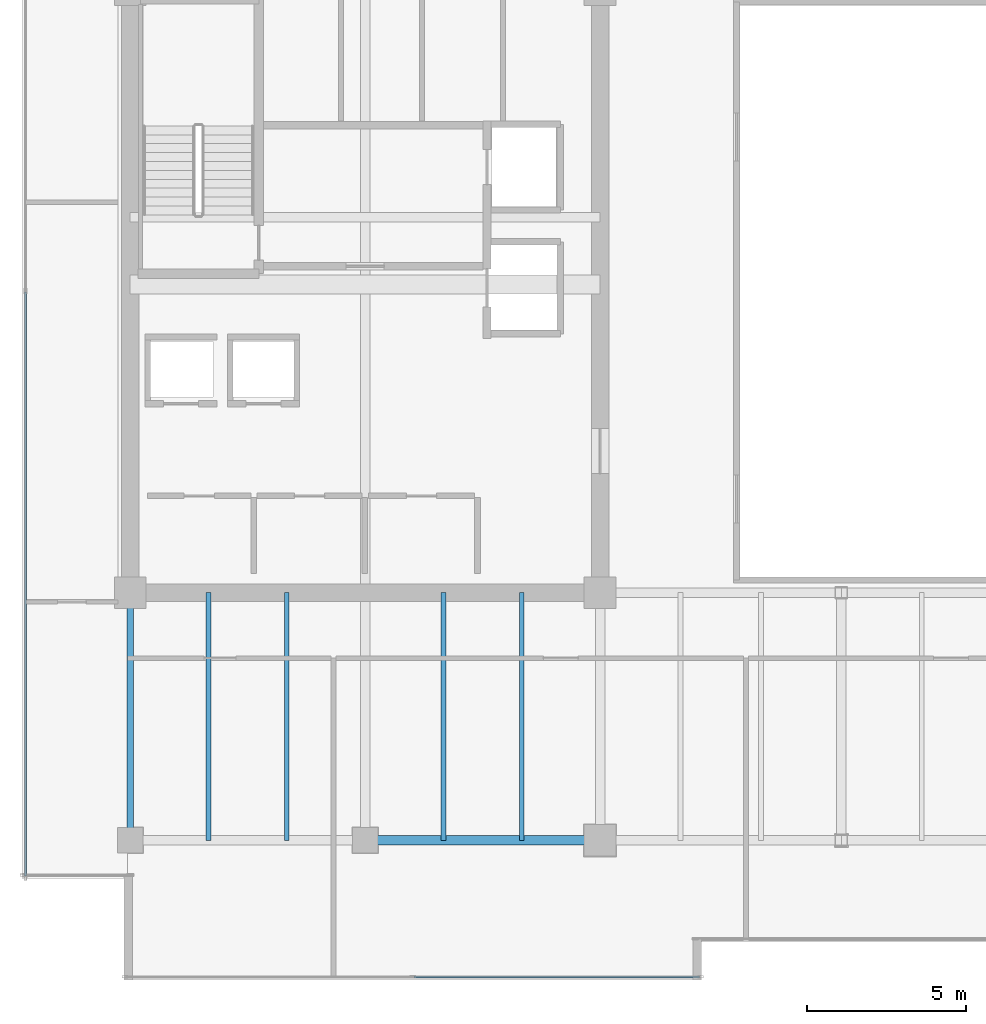
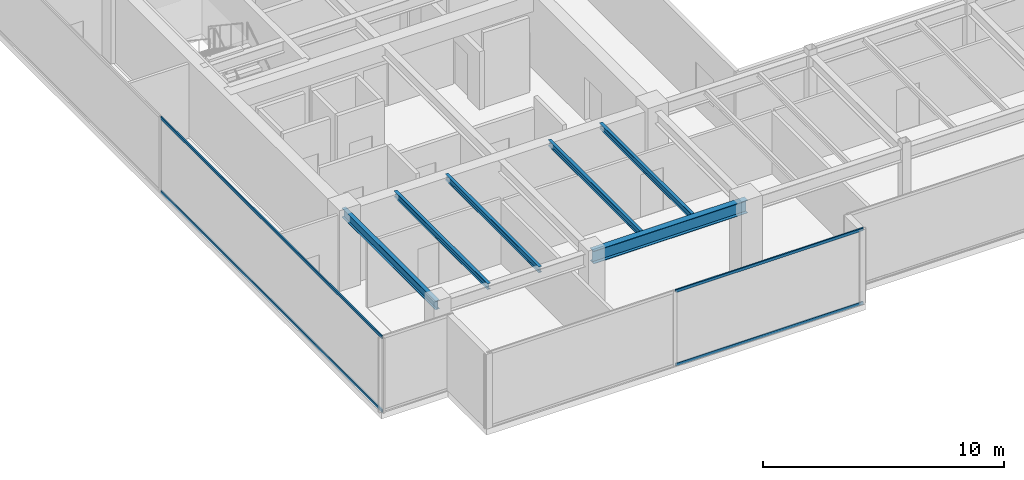
# One storey, part 6 of 35: 6 beams, 4 members, 2 elements without a shape of their own.
"""IFC4 building model written with IfcOpenShell, lengths in metres."""

from ifc_helpers import new_model, si_unit, direction, frame, origin, origin_2d, place, context, subcontext, project, spatial, hollow_rectangle, i_section, extrude, source, transform, mapped, material, layer, layer_set, material_profile, profile_set, type_object, type_shapes, element, aggregate, save


model = new_model("IFC4")

# Units and contexts
model_context = context("Model", 3, precision=1e-05, world=origin(), true_north=direction((0.0, 1.0)))
body_context = subcontext(model_context, "Body", "Model", "MODEL_VIEW")
ifc_project = project(units=[si_unit("LENGTHUNIT", "METRE"), si_unit("AREAUNIT", "SQUARE_METRE"), si_unit("VOLUMEUNIT", "CUBIC_METRE"), si_unit("PLANEANGLEUNIT", "RADIAN"), si_unit("MASSUNIT", "GRAM", prefix="KILO")], contexts=[model_context])

# Site, building, storey
site_placement = place(None, origin())
site = spatial("IfcSite", under=ifc_project, at=site_placement, CompositionType="ELEMENT")
building_placement = place(site_placement, origin())
building = spatial("IfcBuilding", under=site, at=building_placement, Name="Haelvirn Gate Laboratories", CompositionType="ELEMENT")
storey_placement = place(building_placement, frame((0.0, 0.0, 226.0)))
storey = spatial("IfcBuildingStorey", under=building, at=storey_placement, Name="L54", CompositionType="ELEMENT", Elevation=226.0)

# Beams
ifc_material_1 = material(Name="Steel SM355", Category="steel")
ifc_material_profile_1 = material_profile(ifc_material_1, i_section(OverallWidth=0.14990234375, OverallDepth=0.300048828125, WebThickness=0.006591796875, FlangeThickness=0.009033203125, at=origin_2d()), Name="H-300x150x6.5x9")
ifc_profile_set_1 = profile_set([ifc_material_profile_1], Name="Steel SM355")
beam_type_1 = type_object("IfcBeamType", Name="BM-J-300", PredefinedType="JOIST", material=ifc_profile_set_1)
shared_shape_1 = source(origin(), body_context, "Body", "SweptSolid", [
    extrude(i_section(OverallWidth=0.14990234375, OverallDepth=0.300048828125, WebThickness=0.006591796875, FlangeThickness=0.009033203125, at=origin_2d()), origin(), (0.0, 0.0, 1.0), 7.800048828125),
])
type_shapes(beam_type_1, [shared_shape_1])
for number, where, z_axis, x_axis, name in (
    (1, (9.8701171875, 7.0, 3.64990234375), (0.0, 1.0, 0.0), (-1.0, 0.0, 0.0), "L54 Composite Lab Joist South X9.87"),
    (2, (12.330078125, 7.0, 3.64990234375), (0.0, 1.0, 0.0), (-1.0, 0.0, 0.0), "L54 Composite Lab Joist South X12.33"),
    (3, (17.27001953125, 7.0, 3.64990234375), (0.0, 1.0, 0.0), (-1.0, 0.0, 0.0), "L54 Composite Lab Joist South X17.27"),
    (4, (19.72998046875, 7.0, 3.64990234375), (0.0, 1.0, 0.0), (-1.0, 0.0, 0.0), "L54 Composite Lab Joist South X19.73"),
):
    element("IfcBeam", number, at=place(storey_placement, frame(where, z_axis=z_axis, x_axis=x_axis)), inside=storey, type_object=beam_type_1, Name=name, PredefinedType="JOIST", context=body_context, shape_type="MappedRepresentation", body=[
        mapped(shared_shape_1, transform((0.0, 0.0, 0.0), scale=1.0)),
    ])
ifc_material_profile_2 = material_profile(ifc_material_1, i_section(OverallWidth=0.300048828125, OverallDepth=0.64990234375, WebThickness=0.012939453125, FlangeThickness=0.02197265625, at=origin_2d()), Name="H-650x300x13x22")
ifc_profile_set_2 = profile_set([ifc_material_profile_2], Name="Steel SM355")
beam_type_2 = type_object("IfcBeamType", Name="BM-G-650", PredefinedType="BEAM", material=ifc_profile_set_2)
shared_shape_2 = source(origin(), body_context, "Body", "SweptSolid", [
    extrude(i_section(OverallWidth=0.300048828125, OverallDepth=0.64990234375, WebThickness=0.012939453125, FlangeThickness=0.02197265625, at=origin_2d()), origin(), (0.0, 0.0, 1.0), 7.39990234375),
])
type_shapes(beam_type_2, [shared_shape_2])
beam_1_placement = place(storey_placement, frame((14.800048828125, 7.0, 3.47509765625), z_axis=(1.0, 0.0, 0.0), x_axis=(0.0, 1.0, 0.0)))
element("IfcBeam", 5, at=beam_1_placement, inside=storey, type_object=beam_type_2, Name="L54 Primary Girder Y7.0 (14.8-22.2)", PredefinedType="BEAM", context=body_context, shape_type="MappedRepresentation", body=[
    mapped(shared_shape_2, transform((0.0, 0.0, 0.0), scale=1.0)),
])
ifc_material_profile_3 = material_profile(ifc_material_1, i_section(OverallWidth=0.199951171875, OverallDepth=0.449951171875, WebThickness=0.009033203125, FlangeThickness=0.013916015625, at=origin_2d()), Name="H-450x200x9x14")
ifc_profile_set_3 = profile_set([ifc_material_profile_3], Name="Steel SM355")
beam_type_3 = type_object("IfcBeamType", Name="BM-SP-450", PredefinedType="SPANDREL", material=ifc_profile_set_3)
shared_shape_3 = source(origin(), body_context, "Body", "SweptSolid", [
    extrude(i_section(OverallWidth=0.199951171875, OverallDepth=0.449951171875, WebThickness=0.009033203125, FlangeThickness=0.013916015625, at=origin_2d()), origin(), (0.0, 0.0, 1.0), 7.800048828125),
])
type_shapes(beam_type_3, [shared_shape_3])
beam_2_placement = place(storey_placement, frame((7.39990234375, 7.0, 3.574951171875), z_axis=(0.0, 1.0, 0.0), x_axis=(-1.0, 0.0, 0.0)))
element("IfcBeam", 6, at=beam_2_placement, inside=storey, type_object=beam_type_3, Name="L54 Perimeter Spandrel X7.4 (7.0-14.8)", PredefinedType="SPANDREL", context=body_context, shape_type="MappedRepresentation", body=[
    mapped(shared_shape_3, transform((0.0, 0.0, 0.0), scale=1.0)),
])

# Curtain wall, members
ifc_material_2 = material(Name="Anodised bronze unitised aluminium & triple low-E glass", Category="aluminium")
ifc_layer = layer(ifc_material_2, 0.176025390625, Name="CW-SYS-4")
ifc_layer_set = layer_set([ifc_layer], Name="Anodised bronze unitised aluminium & triple low-E glass")
curtain_wall_type = type_object("IfcCurtainWallType", Name="CW-SYS-4", PredefinedType="NOTDEFINED", material=ifc_layer_set)
curtain_wall_1_placement = place(storey_placement, origin())
curtain_wall_1 = element("IfcCurtainWall", 7, at=curtain_wall_1_placement, inside=storey, type_object=curtain_wall_type, Name="L54 Unitised Curtain Wall CW-L54-P0-E00-1", PredefinedType="NOTDEFINED")
ifc_material_3 = material(Name="Extruded aluminium 6063-T6 (anodised bronze)", Category="aluminium")
ifc_material_profile_4 = material_profile(ifc_material_3, hollow_rectangle(XDim=0.06494140625, YDim=0.139892578125, WallThickness=0.00390625, at=origin_2d()), Name="CWT-140x65x4")
ifc_profile_set_4 = profile_set([ifc_material_profile_4], Name="Extruded aluminium 6063-T6 (anodised bronze)")
member_type = type_object("IfcMemberType", Name="CWT-T140", PredefinedType="USERDEFINED", material=ifc_profile_set_4)
shared_shape_4 = source(origin(), body_context, "Body", "SweptSolid", [
    extrude(hollow_rectangle(XDim=0.06494140625, YDim=0.139892578125, WallThickness=0.00390625, at=origin_2d()), origin(), (0.0, 0.0, 1.0), 8.9951171875),
])
member_1_placement = place(storey_placement, frame((16.3349609375, 2.699951171875, 0.032470703125), z_axis=(1.0, 0.0, 0.0), x_axis=(0.0, 1.0, 0.0)))
member_1 = element("IfcMember", 8, at=member_1_placement, type_object=member_type, Name="CW4 transom 2.1", ObjectType="TRANSOM", PredefinedType="USERDEFINED", context=body_context, shape_type="MappedRepresentation", body=[
    mapped(shared_shape_4, transform((0.0, 0.0, 0.0), scale=1.0)),
])
member_2_placement = place(storey_placement, frame((16.3349609375, 2.699951171875, 3.767578125), z_axis=(1.0, 0.0, 0.0), x_axis=(0.0, 1.0, 0.0)))
member_2 = element("IfcMember", 9, at=member_2_placement, type_object=member_type, Name="CW4 transom 2.2", ObjectType="TRANSOM", PredefinedType="USERDEFINED", context=body_context, shape_type="MappedRepresentation", body=[
    mapped(shared_shape_4, transform((0.0, 0.0, 0.0), scale=1.0)),
])
aggregate(curtain_wall_1, [member_1, member_2])

curtain_wall_2_placement = place(storey_placement, origin())
curtain_wall_2 = element("IfcCurtainWall", 10, at=curtain_wall_2_placement, inside=storey, type_object=curtain_wall_type, Name="L54 Unitised Curtain Wall CW-L54-P0-E17", PredefinedType="NOTDEFINED")
shared_shape_5 = source(origin(), body_context, "Body", "SweptSolid", [
    extrude(hollow_rectangle(XDim=0.06494140625, YDim=0.139892578125, WallThickness=0.00390625, at=origin_2d()), origin(), (0.0, 0.0, 1.0), 18.394775390625),
])
type_shapes(member_type, [shared_shape_4, shared_shape_5])
member_3_placement = place(storey_placement, frame((4.10009765625, 24.264892578125, 0.032470703125), z_axis=(0.0, -1.0, 0.0), x_axis=(1.0, 0.0, 0.0)))
member_3 = element("IfcMember", 11, at=member_3_placement, type_object=member_type, Name="CW4 transom 2.1", ObjectType="TRANSOM", PredefinedType="USERDEFINED", context=body_context, shape_type="MappedRepresentation", body=[
    mapped(shared_shape_5, transform((0.0, 0.0, 0.0), scale=1.0)),
])
member_4_placement = place(storey_placement, frame((4.10009765625, 24.264892578125, 3.767578125), z_axis=(0.0, -1.0, 0.0), x_axis=(1.0, 0.0, 0.0)))
member_4 = element("IfcMember", 12, at=member_4_placement, type_object=member_type, Name="CW4 transom 2.2", ObjectType="TRANSOM", PredefinedType="USERDEFINED", context=body_context, shape_type="MappedRepresentation", body=[
    mapped(shared_shape_5, transform((0.0, 0.0, 0.0), scale=1.0)),
])
aggregate(curtain_wall_2, [member_3, member_4])

save(model, "model.ifc")
